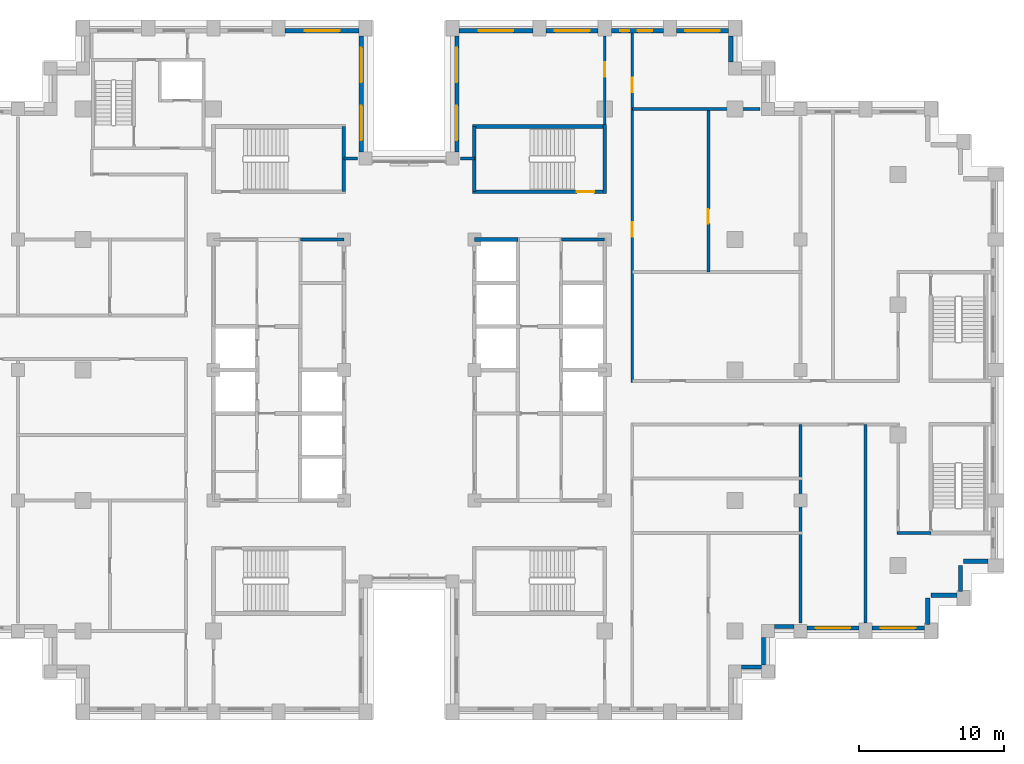
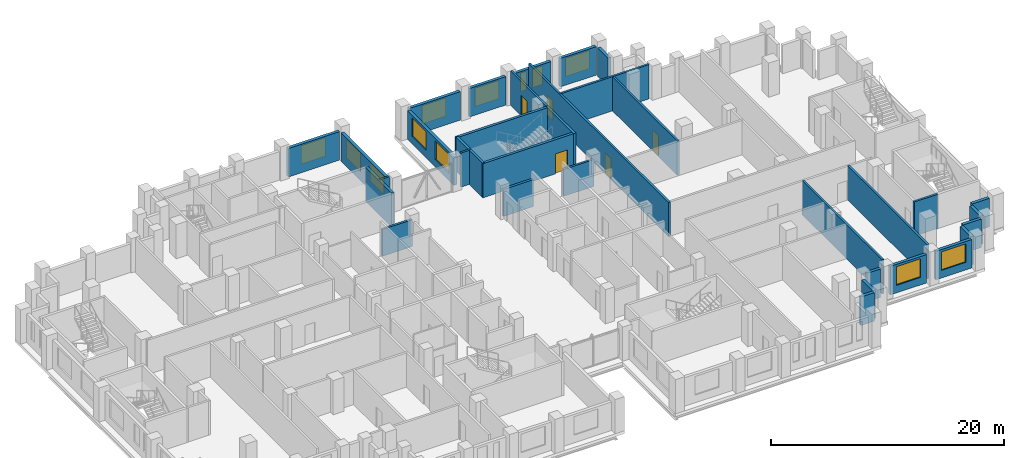
# One storey, part 11 of 16: 34 walls, 12 windows, 5 doors, 17 openings.
"""IFC4 building model written with IfcOpenShell, lengths in metres."""

from ifc_helpers import new_model, si_unit, direction, frame, frame_2d, origin, place, context, subcontext, project, spatial, rectangle, extrude, material, layer, layer_set, type_object, element, fill, save


model = new_model("IFC4")

# Units and contexts
model_context = context("Model", 3, precision=1e-05, world=origin(), true_north=direction((0.0, 1.0)))
body_context = subcontext(model_context, "Body", "Model", "MODEL_VIEW")
ifc_project = project(units=[si_unit("LENGTHUNIT", "METRE"), si_unit("AREAUNIT", "SQUARE_METRE"), si_unit("VOLUMEUNIT", "CUBIC_METRE"), si_unit("PLANEANGLEUNIT", "RADIAN"), si_unit("MASSUNIT", "GRAM", prefix="KILO")], contexts=[model_context])

# Site, building, storey
site_placement = place(None, origin())
site = spatial("IfcSite", under=ifc_project, at=site_placement, CompositionType="ELEMENT")
building_placement = place(site_placement, origin())
building = spatial("IfcBuilding", under=site, at=building_placement, Name="Corbelhall Arena Tower", CompositionType="ELEMENT")
storey_placement = place(building_placement, frame((0.0, 0.0, 174.0)))
storey = spatial("IfcBuildingStorey", under=building, at=storey_placement, Name="L35", CompositionType="ELEMENT", Elevation=174.0)

# Walls
ifc_material_1 = material(Name="Precast concrete C40/50 with granite facing", Category="masonry")
ifc_layer_1 = layer(ifc_material_1, 0.300048828125)
ifc_layer_set_1 = layer_set([ifc_layer_1], Name="EV-IW1 Infill panel 300")
wall_type_1 = type_object("IfcWallType", Name="EV-IW1 Infill panel 300", PredefinedType="SOLIDWALL", material=ifc_layer_set_1)
for number, where, z_axis, x_axis, name in (
    (1, (35.800048828125, -17.550048828125, 0.0), (0.0, 0.0, 1.0), (0.0, 1.0, 0.0), "Infill panel IW1"),
    (2, (37.800048828125, -15.550048828125, 0.0), (0.0, 0.0, 1.0), (-1.0, 0.0, 0.0), "Infill panel IW1"),
    (3, (38.050048828125, -15.300048828125, 0.0), (0.0, 0.0, 1.0), (0.0, 1.0, 0.0), "Infill panel IW1"),
):
    element("IfcWall", number, at=place(storey_placement, frame(where, z_axis=z_axis, x_axis=x_axis)), inside=storey, type_object=wall_type_1, Name=name, PredefinedType="SOLIDWALL", context=body_context, shape_type="SweptSolid", body=[
        extrude(rectangle(XDim=1.800048828125, YDim=0.300048828125, at=frame_2d((0.89990234375, 0.0))), origin(), (0.0, 0.0, 1.0), 2.989990234375),
    ])
wall_1_placement = place(storey_placement, frame((39.949951171875, -13.199951171875, 0.0), z_axis=(0.0, 0.0, 1.0), x_axis=(-1.0, 0.0, 0.0)))
element("IfcWall", 4, at=wall_1_placement, inside=storey, type_object=wall_type_1, Name="Infill panel IW1", PredefinedType="SOLIDWALL", context=body_context, shape_type="SweptSolid", body=[
    extrude(rectangle(XDim=1.699951171875, YDim=0.300048828125, at=frame_2d((0.85009765625, 0.0))), origin(), (0.0, 0.0, 1.0), 2.989990234375),
])
wall_2_placement = place(storey_placement, frame((22.949951171875, -20.5, 0.0), z_axis=(0.0, 0.0, 1.0), x_axis=(1.0, 0.0, 0.0)))
element("IfcWall", 5, at=wall_2_placement, inside=storey, type_object=wall_type_1, Name="Infill panel IW1", PredefinedType="SOLIDWALL", context=body_context, shape_type="SweptSolid", body=[
    extrude(rectangle(XDim=1.35009765625, YDim=0.300048828125, at=frame_2d((0.675048828125, 0.0))), origin(), (0.0, 0.0, 1.0), 2.989990234375),
])
wall_3_placement = place(storey_placement, frame((24.449951171875, -20.35009765625, 0.0), z_axis=(0.0, 0.0, 1.0), x_axis=(0.0, 1.0, 0.0)))
element("IfcWall", 6, at=wall_3_placement, inside=storey, type_object=wall_type_1, Name="Infill panel IW1", PredefinedType="SOLIDWALL", context=body_context, shape_type="SweptSolid", body=[
    extrude(rectangle(XDim=1.900146484375, YDim=0.300048828125, at=frame_2d((0.9501953125, 0.0))), origin(), (0.0, 0.0, 1.0), 2.989990234375),
])
wall_4_placement = place(storey_placement, frame((25.199951171875, -17.699951171875, 0.0), z_axis=(0.0, 0.0, 1.0), x_axis=(1.0, 0.0, 0.0)))
element("IfcWall", 7, at=wall_4_placement, inside=storey, type_object=wall_type_1, Name="Infill panel IW1", PredefinedType="SOLIDWALL", context=body_context, shape_type="SweptSolid", body=[
    extrude(rectangle(XDim=1.35009765625, YDim=0.300048828125, at=frame_2d((0.675048828125, 0.0))), origin(), (0.0, 0.0, 1.0), 2.989990234375),
])

# Wall, opening, window
wall_5_placement = place(storey_placement, frame((27.449951171875, -17.800048828125, 0.0), z_axis=(0.0, 0.0, 1.0), x_axis=(1.0, 0.0, 0.0)))
wall_5 = element("IfcWall", 8, at=wall_5_placement, inside=storey, type_object=wall_type_1, Name="Infill panel IW1", PredefinedType="SOLIDWALL", context=body_context, shape_type="SweptSolid", body=[
    extrude(rectangle(XDim=3.60009765625, YDim=0.300048828125, at=frame_2d((1.800048828125, 0.0))), origin(), (0.0, 0.0, 1.0), 2.989990234375),
])
opening_1_placement = place(wall_5_placement, frame((0.60009765625, 0.0, 0.800048828125)))
opening_1 = element("IfcOpeningElement", 9, at=opening_1_placement, cuts=wall_5, Name="Opening WN1", PredefinedType="OPENING", context=body_context, shape_type="SweptSolid", body=[
    extrude(rectangle(XDim=2.39990234375, YDim=1.949951171875, at=frame_2d((1.199951171875, 0.97509765625))), frame((0.0, 0.14990234375, 0.0), z_axis=(0.0, -1.0, 0.0), x_axis=(1.0, 0.0, 0.0)), (0.0, 0.0, 1.0), 0.300048828125),
])
ifc_material_2 = material(Name="Aluminium black anodised", Category="aluminium")
window_type_1 = type_object("IfcWindowType", Name="EV-WN1 Office window", PartitioningType="SINGLE_PANEL", PredefinedType="WINDOW", material=ifc_material_2)
window_1_placement = place(opening_1_placement, origin())
window_1 = element("IfcWindow", 10, at=window_1_placement, inside=storey, type_object=window_type_1, Name="Window WN1", OverallHeight=1.949951171875, OverallWidth=2.39990234375, PartitioningType="SINGLE_PANEL", PredefinedType="WINDOW", context=body_context, shape_type="SweptSolid", body=[
    extrude(rectangle(XDim=2.39990234375, YDim=1.949951171875, at=frame_2d((1.199951171875, 0.97509765625))), frame((0.0, 0.030029296875, 0.0), z_axis=(0.0, -1.0, 0.0), x_axis=(1.0, 0.0, 0.0)), (0.0, 0.0, 1.0), 0.06005859375),
])
fill(opening_1, window_1)

wall_6_placement = place(storey_placement, frame((31.949951171875, -17.800048828125, 0.0), z_axis=(0.0, 0.0, 1.0), x_axis=(1.0, 0.0, 0.0)))
wall_6 = element("IfcWall", 11, at=wall_6_placement, inside=storey, type_object=wall_type_1, Name="Infill panel IW1", PredefinedType="SOLIDWALL", context=body_context, shape_type="SweptSolid", body=[
    extrude(rectangle(XDim=3.60009765625, YDim=0.300048828125, at=frame_2d((1.800048828125, 0.0))), origin(), (0.0, 0.0, 1.0), 2.989990234375),
])
opening_2_placement = place(wall_6_placement, frame((0.60009765625, 0.0, 0.800048828125)))
opening_2 = element("IfcOpeningElement", 12, at=opening_2_placement, cuts=wall_6, Name="Opening WN1", PredefinedType="OPENING", context=body_context, shape_type="SweptSolid", body=[
    extrude(rectangle(XDim=2.39990234375, YDim=1.949951171875, at=frame_2d((1.199951171875, 0.97509765625))), frame((0.0, 0.14990234375, 0.0), z_axis=(0.0, -1.0, 0.0), x_axis=(1.0, 0.0, 0.0)), (0.0, 0.0, 1.0), 0.300048828125),
])
window_2_placement = place(opening_2_placement, origin())
window_2 = element("IfcWindow", 13, at=window_2_placement, inside=storey, type_object=window_type_1, Name="Window WN1", OverallHeight=1.949951171875, OverallWidth=2.39990234375, PartitioningType="SINGLE_PANEL", PredefinedType="WINDOW", context=body_context, shape_type="SweptSolid", body=[
    extrude(rectangle(XDim=2.39990234375, YDim=1.949951171875, at=frame_2d((1.199951171875, 0.97509765625))), frame((0.0, 0.030029296875, 0.0), z_axis=(0.0, -1.0, 0.0), x_axis=(1.0, 0.0, 0.0)), (0.0, 0.0, 1.0), 0.06005859375),
])
fill(opening_2, window_2)

# Wall
wall_7_placement = place(storey_placement, frame((22.199951171875, 21.25, 0.0), z_axis=(0.0, 0.0, 1.0), x_axis=(0.0, 1.0, 0.0)))
element("IfcWall", 14, at=wall_7_placement, inside=storey, type_object=wall_type_1, Name="Infill panel IW1", PredefinedType="SOLIDWALL", context=body_context, shape_type="SweptSolid", body=[
    extrude(rectangle(XDim=1.800048828125, YDim=0.300048828125, at=frame_2d((0.89990234375, 0.0))), origin(), (0.0, 0.0, 1.0), 2.989990234375),
])

# Wall, opening, window
wall_8_placement = place(storey_placement, frame((22.050048828125, 23.39990234375, 0.0), z_axis=(0.0, 0.0, 1.0), x_axis=(-1.0, 0.0, 0.0)))
wall_8 = element("IfcWall", 15, at=wall_8_placement, inside=storey, type_object=wall_type_1, Name="Infill panel IW1", PredefinedType="SOLIDWALL", context=body_context, shape_type="SweptSolid", body=[
    extrude(rectangle(XDim=3.60009765625, YDim=0.300048828125, at=frame_2d((1.800048828125, 0.0))), origin(), (0.0, 0.0, 1.0), 2.989990234375),
])
opening_3_placement = place(wall_8_placement, frame((0.60009765625, 0.0, 0.800048828125)))
opening_3 = element("IfcOpeningElement", 16, at=opening_3_placement, cuts=wall_8, Name="Opening WN1", PredefinedType="OPENING", context=body_context, shape_type="SweptSolid", body=[
    extrude(rectangle(XDim=2.39990234375, YDim=1.949951171875, at=frame_2d((1.199951171875, 0.97509765625))), frame((0.0, 0.14990234375, 0.0), z_axis=(0.0, -1.0, 0.0), x_axis=(1.0, 0.0, 0.0)), (0.0, 0.0, 1.0), 0.300048828125),
])
window_3_placement = place(opening_3_placement, origin())
window_3 = element("IfcWindow", 17, at=window_3_placement, inside=storey, type_object=window_type_1, Name="Window WN1", OverallHeight=1.949951171875, OverallWidth=2.39990234375, PartitioningType="SINGLE_PANEL", PredefinedType="WINDOW", context=body_context, shape_type="SweptSolid", body=[
    extrude(rectangle(XDim=2.39990234375, YDim=1.949951171875, at=frame_2d((1.199951171875, 0.97509765625))), frame((0.0, 0.030029296875, 0.0), z_axis=(0.0, -1.0, 0.0), x_axis=(1.0, 0.0, 0.0)), (0.0, 0.0, 1.0), 0.06005859375),
])
fill(opening_3, window_3)

# Wall, openings, windows
wall_9_placement = place(storey_placement, frame((17.550048828125, 23.39990234375, 0.0), z_axis=(0.0, 0.0, 1.0), x_axis=(-1.0, 0.0, 0.0)))
wall_9 = element("IfcWall", 18, at=wall_9_placement, inside=storey, type_object=wall_type_1, Name="Infill panel IW1", PredefinedType="SOLIDWALL", context=body_context, shape_type="SweptSolid", body=[
    extrude(rectangle(XDim=3.60009765625, YDim=0.300048828125, at=frame_2d((1.800048828125, 0.0))), origin(), (0.0, 0.0, 1.0), 2.989990234375),
])
opening_4_placement = place(wall_9_placement, frame((0.77490234375, 0.0, 0.800048828125)))
opening_4 = element("IfcOpeningElement", 19, at=opening_4_placement, cuts=wall_9, Name="Opening WN6", PredefinedType="OPENING", context=body_context, shape_type="SweptSolid", body=[
    extrude(rectangle(XDim=1.0, YDim=1.949951171875, at=frame_2d((0.5, 0.97509765625))), frame((0.0, 0.14990234375, 0.0), z_axis=(0.0, -1.0, 0.0), x_axis=(1.0, 0.0, 0.0)), (0.0, 0.0, 1.0), 0.300048828125),
])
opening_5_placement = place(wall_9_placement, frame((2.375, 0.0, 0.800048828125)))
opening_5 = element("IfcOpeningElement", 20, at=opening_5_placement, cuts=wall_9, Name="Opening WN5", PredefinedType="OPENING", context=body_context, shape_type="SweptSolid", body=[
    extrude(rectangle(XDim=0.60009765625, YDim=1.949951171875, at=frame_2d((0.300048828125, 0.97509765625))), frame((0.0, 0.14990234375, 0.0), z_axis=(0.0, -1.0, 0.0), x_axis=(1.0, 0.0, 0.0)), (0.0, 0.0, 1.0), 0.300048828125),
])
window_type_2 = type_object("IfcWindowType", Name="EV-WN5 Office window 600", PartitioningType="SINGLE_PANEL", PredefinedType="WINDOW", material=ifc_material_2)
window_4_placement = place(opening_5_placement, origin())
window_4 = element("IfcWindow", 21, at=window_4_placement, inside=storey, type_object=window_type_2, Name="Window WN5", OverallHeight=1.949951171875, OverallWidth=0.60009765625, PartitioningType="SINGLE_PANEL", PredefinedType="WINDOW", context=body_context, shape_type="SweptSolid", body=[
    extrude(rectangle(XDim=0.60009765625, YDim=1.949951171875, at=frame_2d((0.300048828125, 0.97509765625))), frame((0.0, 0.030029296875, 0.0), z_axis=(0.0, -1.0, 0.0), x_axis=(1.0, 0.0, 0.0)), (0.0, 0.0, 1.0), 0.06005859375),
])
fill(opening_5, window_4)
window_type_3 = type_object("IfcWindowType", Name="EV-WN6 Office window 1000", PartitioningType="SINGLE_PANEL", PredefinedType="WINDOW", material=ifc_material_2)
window_5_placement = place(opening_4_placement, origin())
window_5 = element("IfcWindow", 22, at=window_5_placement, inside=storey, type_object=window_type_3, Name="Window WN6", OverallHeight=1.949951171875, OverallWidth=1.0, PartitioningType="SINGLE_PANEL", PredefinedType="WINDOW", context=body_context, shape_type="SweptSolid", body=[
    extrude(rectangle(XDim=1.0, YDim=1.949951171875, at=frame_2d((0.5, 0.97509765625))), frame((0.0, 0.030029296875, 0.0), z_axis=(0.0, -1.0, 0.0), x_axis=(1.0, 0.0, 0.0)), (0.0, 0.0, 1.0), 0.06005859375),
])
fill(opening_4, window_5)

# Wall, opening, window
wall_10_placement = place(storey_placement, frame((13.050048828125, 23.39990234375, 0.0), z_axis=(0.0, 0.0, 1.0), x_axis=(-1.0, 0.0, 0.0)))
wall_10 = element("IfcWall", 23, at=wall_10_placement, inside=storey, type_object=wall_type_1, Name="Infill panel IW1", PredefinedType="SOLIDWALL", context=body_context, shape_type="SweptSolid", body=[
    extrude(rectangle(XDim=3.60009765625, YDim=0.300048828125, at=frame_2d((1.800048828125, 0.0))), origin(), (0.0, 0.0, 1.0), 2.989990234375),
])
opening_6_placement = place(wall_10_placement, frame((0.60009765625, 0.0, 0.800048828125)))
opening_6 = element("IfcOpeningElement", 24, at=opening_6_placement, cuts=wall_10, Name="Opening WN1", PredefinedType="OPENING", context=body_context, shape_type="SweptSolid", body=[
    extrude(rectangle(XDim=2.39990234375, YDim=1.949951171875, at=frame_2d((1.199951171875, 0.97509765625))), frame((0.0, 0.14990234375, 0.0), z_axis=(0.0, -1.0, 0.0), x_axis=(1.0, 0.0, 0.0)), (0.0, 0.0, 1.0), 0.300048828125),
])
window_6_placement = place(opening_6_placement, origin())
window_6 = element("IfcWindow", 25, at=window_6_placement, inside=storey, type_object=window_type_1, Name="Window WN1", OverallHeight=1.949951171875, OverallWidth=2.39990234375, PartitioningType="SINGLE_PANEL", PredefinedType="WINDOW", context=body_context, shape_type="SweptSolid", body=[
    extrude(rectangle(XDim=2.39990234375, YDim=1.949951171875, at=frame_2d((1.199951171875, 0.97509765625))), frame((0.0, 0.030029296875, 0.0), z_axis=(0.0, -1.0, 0.0), x_axis=(1.0, 0.0, 0.0)), (0.0, 0.0, 1.0), 0.06005859375),
])
fill(opening_6, window_6)

wall_11_placement = place(storey_placement, frame((8.550048828125, 23.39990234375, 0.0), z_axis=(0.0, 0.0, 1.0), x_axis=(-1.0, 0.0, 0.0)))
wall_11 = element("IfcWall", 26, at=wall_11_placement, inside=storey, type_object=wall_type_1, Name="Infill panel IW1", PredefinedType="SOLIDWALL", context=body_context, shape_type="SweptSolid", body=[
    extrude(rectangle(XDim=5.10009765625, YDim=0.300048828125, at=frame_2d((2.550048828125, 0.0))), origin(), (0.0, 0.0, 1.0), 2.989990234375),
])
opening_7_placement = place(wall_11_placement, frame((1.35009765625, 0.0, 0.800048828125)))
opening_7 = element("IfcOpeningElement", 27, at=opening_7_placement, cuts=wall_11, Name="Opening WN1", PredefinedType="OPENING", context=body_context, shape_type="SweptSolid", body=[
    extrude(rectangle(XDim=2.39990234375, YDim=1.949951171875, at=frame_2d((1.199951171875, 0.97509765625))), frame((0.0, 0.14990234375, 0.0), z_axis=(0.0, -1.0, 0.0), x_axis=(1.0, 0.0, 0.0)), (0.0, 0.0, 1.0), 0.300048828125),
])
window_7_placement = place(opening_7_placement, origin())
window_7 = element("IfcWindow", 28, at=window_7_placement, inside=storey, type_object=window_type_1, Name="Window WN1", OverallHeight=1.949951171875, OverallWidth=2.39990234375, PartitioningType="SINGLE_PANEL", PredefinedType="WINDOW", context=body_context, shape_type="SweptSolid", body=[
    extrude(rectangle(XDim=2.39990234375, YDim=1.949951171875, at=frame_2d((1.199951171875, 0.97509765625))), frame((0.0, 0.030029296875, 0.0), z_axis=(0.0, -1.0, 0.0), x_axis=(1.0, 0.0, 0.0)), (0.0, 0.0, 1.0), 0.06005859375),
])
fill(opening_7, window_7)

# Wall, openings, windows
wall_12_placement = place(storey_placement, frame((3.300048828125, 23.050048828125, 0.0), z_axis=(0.0, 0.0, 1.0), x_axis=(0.0, -1.0, 0.0)))
wall_12 = element("IfcWall", 29, at=wall_12_placement, inside=storey, type_object=wall_type_1, Name="Infill panel IW1", PredefinedType="SOLIDWALL", context=body_context, shape_type="SweptSolid", body=[
    extrude(rectangle(XDim=8.0, YDim=0.300048828125, at=frame_2d((4.0, 0.0))), origin(), (0.0, 0.0, 1.0), 2.989990234375),
])
opening_8_placement = place(wall_12_placement, frame((0.800048828125, 0.0, 0.800048828125)))
opening_8 = element("IfcOpeningElement", 30, at=opening_8_placement, cuts=wall_12, Name="Opening WN1", PredefinedType="OPENING", context=body_context, shape_type="SweptSolid", body=[
    extrude(rectangle(XDim=2.39990234375, YDim=1.949951171875, at=frame_2d((1.199951171875, 0.97509765625))), frame((0.0, 0.14990234375, 0.0), z_axis=(0.0, -1.0, 0.0), x_axis=(1.0, 0.0, 0.0)), (0.0, 0.0, 1.0), 0.300048828125),
])
opening_9_placement = place(wall_12_placement, frame((4.800048828125, 0.0, 0.800048828125)))
opening_9 = element("IfcOpeningElement", 31, at=opening_9_placement, cuts=wall_12, Name="Opening WN1", PredefinedType="OPENING", context=body_context, shape_type="SweptSolid", body=[
    extrude(rectangle(XDim=2.39990234375, YDim=1.949951171875, at=frame_2d((1.199951171875, 0.97509765625))), frame((0.0, 0.14990234375, 0.0), z_axis=(0.0, -1.0, 0.0), x_axis=(1.0, 0.0, 0.0)), (0.0, 0.0, 1.0), 0.300048828125),
])
window_8_placement = place(opening_8_placement, origin())
window_8 = element("IfcWindow", 32, at=window_8_placement, inside=storey, type_object=window_type_1, Name="Window WN1", OverallHeight=1.949951171875, OverallWidth=2.39990234375, PartitioningType="SINGLE_PANEL", PredefinedType="WINDOW", context=body_context, shape_type="SweptSolid", body=[
    extrude(rectangle(XDim=2.39990234375, YDim=1.949951171875, at=frame_2d((1.199951171875, 0.97509765625))), frame((0.0, 0.030029296875, 0.0), z_axis=(0.0, -1.0, 0.0), x_axis=(1.0, 0.0, 0.0)), (0.0, 0.0, 1.0), 0.06005859375),
])
fill(opening_8, window_8)
window_9_placement = place(opening_9_placement, origin())
window_9 = element("IfcWindow", 33, at=window_9_placement, inside=storey, type_object=window_type_1, Name="Window WN1", OverallHeight=1.949951171875, OverallWidth=2.39990234375, PartitioningType="SINGLE_PANEL", PredefinedType="WINDOW", context=body_context, shape_type="SweptSolid", body=[
    extrude(rectangle(XDim=2.39990234375, YDim=1.949951171875, at=frame_2d((1.199951171875, 0.97509765625))), frame((0.0, 0.030029296875, 0.0), z_axis=(0.0, -1.0, 0.0), x_axis=(1.0, 0.0, 0.0)), (0.0, 0.0, 1.0), 0.06005859375),
])
fill(opening_9, window_9)

wall_13_placement = place(storey_placement, frame((-3.300048828125, 15.050048828125, 0.0), z_axis=(0.0, 0.0, 1.0), x_axis=(0.0, 1.0, 0.0)))
wall_13 = element("IfcWall", 34, at=wall_13_placement, inside=storey, type_object=wall_type_1, Name="Infill panel IW1", PredefinedType="SOLIDWALL", context=body_context, shape_type="SweptSolid", body=[
    extrude(rectangle(XDim=8.0, YDim=0.300048828125, at=frame_2d((4.0, 0.0))), origin(), (0.0, 0.0, 1.0), 2.989990234375),
])
opening_10_placement = place(wall_13_placement, frame((0.800048828125, 0.0, 0.800048828125)))
opening_10 = element("IfcOpeningElement", 35, at=opening_10_placement, cuts=wall_13, Name="Opening WN1", PredefinedType="OPENING", context=body_context, shape_type="SweptSolid", body=[
    extrude(rectangle(XDim=2.39990234375, YDim=1.949951171875, at=frame_2d((1.199951171875, 0.97509765625))), frame((0.0, 0.14990234375, 0.0), z_axis=(0.0, -1.0, 0.0), x_axis=(1.0, 0.0, 0.0)), (0.0, 0.0, 1.0), 0.300048828125),
])
opening_11_placement = place(wall_13_placement, frame((4.800048828125, 0.0, 0.800048828125)))
opening_11 = element("IfcOpeningElement", 36, at=opening_11_placement, cuts=wall_13, Name="Opening WN1", PredefinedType="OPENING", context=body_context, shape_type="SweptSolid", body=[
    extrude(rectangle(XDim=2.39990234375, YDim=1.949951171875, at=frame_2d((1.199951171875, 0.97509765625))), frame((0.0, 0.14990234375, 0.0), z_axis=(0.0, -1.0, 0.0), x_axis=(1.0, 0.0, 0.0)), (0.0, 0.0, 1.0), 0.300048828125),
])
window_10_placement = place(opening_10_placement, origin())
window_10 = element("IfcWindow", 37, at=window_10_placement, inside=storey, type_object=window_type_1, Name="Window WN1", OverallHeight=1.949951171875, OverallWidth=2.39990234375, PartitioningType="SINGLE_PANEL", PredefinedType="WINDOW", context=body_context, shape_type="SweptSolid", body=[
    extrude(rectangle(XDim=2.39990234375, YDim=1.949951171875, at=frame_2d((1.199951171875, 0.97509765625))), frame((0.0, 0.030029296875, 0.0), z_axis=(0.0, -1.0, 0.0), x_axis=(1.0, 0.0, 0.0)), (0.0, 0.0, 1.0), 0.06005859375),
])
fill(opening_10, window_10)
window_11_placement = place(opening_11_placement, origin())
window_11 = element("IfcWindow", 38, at=window_11_placement, inside=storey, type_object=window_type_1, Name="Window WN1", OverallHeight=1.949951171875, OverallWidth=2.39990234375, PartitioningType="SINGLE_PANEL", PredefinedType="WINDOW", context=body_context, shape_type="SweptSolid", body=[
    extrude(rectangle(XDim=2.39990234375, YDim=1.949951171875, at=frame_2d((1.199951171875, 0.97509765625))), frame((0.0, 0.030029296875, 0.0), z_axis=(0.0, -1.0, 0.0), x_axis=(1.0, 0.0, 0.0)), (0.0, 0.0, 1.0), 0.06005859375),
])
fill(opening_11, window_11)

# Wall, opening, window
wall_14_placement = place(storey_placement, frame((-3.449951171875, 23.39990234375, 0.0), z_axis=(0.0, 0.0, 1.0), x_axis=(-1.0, 0.0, 0.0)))
wall_14 = element("IfcWall", 39, at=wall_14_placement, inside=storey, type_object=wall_type_1, Name="Infill panel IW1", PredefinedType="SOLIDWALL", context=body_context, shape_type="SweptSolid", body=[
    extrude(rectangle(XDim=5.10009765625, YDim=0.300048828125, at=frame_2d((2.550048828125, 0.0))), origin(), (0.0, 0.0, 1.0), 2.989990234375),
])
opening_12_placement = place(wall_14_placement, frame((1.35009765625, 0.0, 0.800048828125)))
opening_12 = element("IfcOpeningElement", 40, at=opening_12_placement, cuts=wall_14, Name="Opening WN1", PredefinedType="OPENING", context=body_context, shape_type="SweptSolid", body=[
    extrude(rectangle(XDim=2.39990234375, YDim=1.949951171875, at=frame_2d((1.199951171875, 0.97509765625))), frame((0.0, 0.14990234375, 0.0), z_axis=(0.0, -1.0, 0.0), x_axis=(1.0, 0.0, 0.0)), (0.0, 0.0, 1.0), 0.300048828125),
])
window_12_placement = place(opening_12_placement, origin())
window_12 = element("IfcWindow", 41, at=window_12_placement, inside=storey, type_object=window_type_1, Name="Window WN1", OverallHeight=1.949951171875, OverallWidth=2.39990234375, PartitioningType="SINGLE_PANEL", PredefinedType="WINDOW", context=body_context, shape_type="SweptSolid", body=[
    extrude(rectangle(XDim=2.39990234375, YDim=1.949951171875, at=frame_2d((1.199951171875, 0.97509765625))), frame((0.0, 0.030029296875, 0.0), z_axis=(0.0, -1.0, 0.0), x_axis=(1.0, 0.0, 0.0)), (0.0, 0.0, 1.0), 0.06005859375),
])
fill(opening_12, window_12)

# Walls
ifc_material_3 = material(Name="Gypsum board on steel stud, acoustic", Category="steel")
ifc_layer_2 = layer(ifc_material_3, 0.199951171875)
ifc_layer_set_2 = layer_set([ifc_layer_2], Name="IN-W-DM200")
wall_type_2 = type_object("IfcWallType", Name="IN-W-DM200", PredefinedType="PARTITIONING", material=ifc_layer_set_2)
for number, where, z_axis, x_axis, name in (
    (42, (-4.5, 14.60009765625, 0.0), (0.0, 0.0, 1.0), (1.0, 0.0, 0.0), "Partition 024"),
    (43, (3.550048828125, 14.60009765625, 0.0), (0.0, 0.0, 1.0), (1.0, 0.0, 0.0), "Partition 026"),
):
    element("IfcWall", number, at=place(storey_placement, frame(where, z_axis=z_axis, x_axis=x_axis)), inside=storey, type_object=wall_type_2, Name=name, PredefinedType="PARTITIONING", context=body_context, shape_type="SweptSolid", body=[
        extrude(rectangle(XDim=0.949951171875, YDim=0.199951171875, at=frame_2d((0.47509765625, 0.0))), origin(), (0.0, 0.0, 1.0), 3.590087890625),
    ])

# Wall, opening, door
wall_15_placement = place(storey_placement, frame((13.5, 16.675048828125, 0.0), z_axis=(0.0, 0.0, 1.0), x_axis=(0.0, 1.0, 0.0)))
wall_15 = element("IfcWall", 44, at=wall_15_placement, inside=storey, type_object=wall_type_2, Name="Partition 029", PredefinedType="PARTITIONING", context=body_context, shape_type="SweptSolid", body=[
    extrude(rectangle(XDim=6.375, YDim=0.199951171875, at=frame_2d((3.1875, 0.0))), origin(), (0.0, 0.0, 1.0), 3.590087890625),
])
opening_13_placement = place(wall_15_placement, frame((3.550048828125, 0.0, 0.0)))
opening_13 = element("IfcOpeningElement", 45, at=opening_13_placement, cuts=wall_15, Name="Opening 10023", PredefinedType="OPENING", context=body_context, shape_type="SweptSolid", body=[
    extrude(rectangle(XDim=1.0, YDim=2.10009765625, at=frame_2d((0.5, 1.050048828125))), frame((0.0, 0.10009765625, 0.0), z_axis=(0.0, -1.0, 0.0), x_axis=(1.0, 0.0, 0.0)), (0.0, 0.0, 1.0), 0.199951171875),
])
ifc_material_4 = material(Name="Steel door set", Category="steel")
door_type_1 = type_object("IfcDoorType", Name="IN-D-SW100", OperationType="NOTDEFINED", PredefinedType="DOOR", material=ifc_material_4)
door_1_placement = place(opening_13_placement, origin())
door_1 = element("IfcDoor", 46, at=door_1_placement, inside=storey, type_object=door_type_1, Name="Door 023", OperationType="SINGLE_SWING_RIGHT", OverallHeight=2.10009765625, OverallWidth=1.0, PredefinedType="DOOR", context=body_context, shape_type="SweptSolid", body=[
    extrude(rectangle(XDim=1.0, YDim=2.10009765625, at=frame_2d((0.5, 1.050048828125))), frame((0.0, 0.02490234375, 0.0), z_axis=(0.0, -1.0, 0.0), x_axis=(1.0, 0.0, 0.0)), (0.0, 0.0, 1.0), 0.050048828125),
])
fill(opening_13, door_1)

# Wall, openings, doors
wall_16_placement = place(storey_placement, frame((15.39990234375, 23.25, 0.0), z_axis=(0.0, 0.0, 1.0), x_axis=(0.0, -1.0, 0.0)))
wall_16 = element("IfcWall", 47, at=wall_16_placement, inside=storey, type_object=wall_type_2, Name="Partition 035", PredefinedType="PARTITIONING", context=body_context, shape_type="SweptSolid", body=[
    extrude(rectangle(XDim=24.10009765625, YDim=0.199951171875, at=frame_2d((12.050048828125, 0.0))), origin(), (0.0, 0.0, 1.0), 3.590087890625),
])
opening_14_placement = place(wall_16_placement, frame((13.050048828125, 0.0, 0.0)))
opening_14 = element("IfcOpeningElement", 48, at=opening_14_placement, cuts=wall_16, Name="Opening 10035", PredefinedType="OPENING", context=body_context, shape_type="SweptSolid", body=[
    extrude(rectangle(XDim=1.0, YDim=2.10009765625, at=frame_2d((0.5, 1.050048828125))), frame((0.0, 0.10009765625, 0.0), z_axis=(0.0, -1.0, 0.0), x_axis=(1.0, 0.0, 0.0)), (0.0, 0.0, 1.0), 0.199951171875),
])
opening_15_placement = place(wall_16_placement, frame((3.10009765625, 0.0, 0.0)))
opening_15 = element("IfcOpeningElement", 49, at=opening_15_placement, cuts=wall_16, Name="Opening 10037", PredefinedType="OPENING", context=body_context, shape_type="SweptSolid", body=[
    extrude(rectangle(XDim=1.0, YDim=2.10009765625, at=frame_2d((0.5, 1.050048828125))), frame((0.0, 0.10009765625, 0.0), z_axis=(0.0, -1.0, 0.0), x_axis=(1.0, 0.0, 0.0)), (0.0, 0.0, 1.0), 0.199951171875),
])
door_2_placement = place(opening_14_placement, origin())
door_2 = element("IfcDoor", 50, at=door_2_placement, inside=storey, type_object=door_type_1, Name="Door 035", OperationType="SINGLE_SWING_RIGHT", OverallHeight=2.10009765625, OverallWidth=1.0, PredefinedType="DOOR", context=body_context, shape_type="SweptSolid", body=[
    extrude(rectangle(XDim=1.0, YDim=2.10009765625, at=frame_2d((0.5, 1.050048828125))), frame((0.0, 0.02490234375, 0.0), z_axis=(0.0, -1.0, 0.0), x_axis=(1.0, 0.0, 0.0)), (0.0, 0.0, 1.0), 0.050048828125),
])
fill(opening_14, door_2)
door_3_placement = place(opening_15_placement, origin())
door_3 = element("IfcDoor", 51, at=door_3_placement, inside=storey, type_object=door_type_1, Name="Door 037", OperationType="SINGLE_SWING_RIGHT", OverallHeight=2.10009765625, OverallWidth=1.0, PredefinedType="DOOR", context=body_context, shape_type="SweptSolid", body=[
    extrude(rectangle(XDim=1.0, YDim=2.10009765625, at=frame_2d((0.5, 1.050048828125))), frame((0.0, 0.02490234375, 0.0), z_axis=(0.0, -1.0, 0.0), x_axis=(1.0, 0.0, 0.0)), (0.0, 0.0, 1.0), 0.050048828125),
])
fill(opening_15, door_3)

# Wall
wall_17_placement = place(storey_placement, frame((15.39990234375, 18.0, 0.0), z_axis=(0.0, 0.0, 1.0), x_axis=(1.0, 0.0, 0.0)))
element("IfcWall", 52, at=wall_17_placement, inside=storey, type_object=wall_type_2, Name="Partition 036", PredefinedType="PARTITIONING", context=body_context, shape_type="SweptSolid", body=[
    extrude(rectangle(XDim=8.800048828125, YDim=0.199951171875, at=frame_2d((4.39990234375, 0.0))), origin(), (0.0, 0.0, 1.0), 3.590087890625),
])

# Wall, opening, door
wall_18_placement = place(storey_placement, frame((20.64990234375, 18.10009765625, 0.0), z_axis=(0.0, 0.0, 1.0), x_axis=(0.0, -1.0, 0.0)))
wall_18 = element("IfcWall", 53, at=wall_18_placement, inside=storey, type_object=wall_type_2, Name="Partition 038", PredefinedType="PARTITIONING", context=body_context, shape_type="SweptSolid", body=[
    extrude(rectangle(XDim=11.35009765625, YDim=0.199951171875, at=frame_2d((5.675048828125, 0.0))), origin(), (0.0, 0.0, 1.0), 3.590087890625),
])
opening_16_placement = place(wall_18_placement, frame((7.0, 0.0, 0.0)))
opening_16 = element("IfcOpeningElement", 54, at=opening_16_placement, cuts=wall_18, Name="Opening 10036", PredefinedType="OPENING", context=body_context, shape_type="SweptSolid", body=[
    extrude(rectangle(XDim=1.0, YDim=2.10009765625, at=frame_2d((0.5, 1.050048828125))), frame((0.0, 0.10009765625, 0.0), z_axis=(0.0, -1.0, 0.0), x_axis=(1.0, 0.0, 0.0)), (0.0, 0.0, 1.0), 0.199951171875),
])
door_4_placement = place(opening_16_placement, origin())
door_4 = element("IfcDoor", 55, at=door_4_placement, inside=storey, type_object=door_type_1, Name="Door 036", OperationType="SINGLE_SWING_LEFT", OverallHeight=2.10009765625, OverallWidth=1.0, PredefinedType="DOOR", context=body_context, shape_type="SweptSolid", body=[
    extrude(rectangle(XDim=1.0, YDim=2.10009765625, at=frame_2d((0.5, 1.050048828125))), frame((0.0, 0.02490234375, 0.0), z_axis=(0.0, -1.0, 0.0), x_axis=(1.0, 0.0, 0.0)), (0.0, 0.0, 1.0), 0.050048828125),
])
fill(opening_16, door_4)

# Walls
for number, where, z_axis, x_axis, name in (
    (56, (27.0, -3.75, 0.0), (0.0, 0.0, 1.0), (0.0, -1.0, 0.0), "Partition 039"),
    (57, (31.5, -3.75, 0.0), (0.0, 0.0, 1.0), (0.0, -1.0, 0.0), "Partition 043"),
):
    element("IfcWall", number, at=place(storey_placement, frame(where, z_axis=z_axis, x_axis=x_axis)), inside=storey, type_object=wall_type_2, Name=name, PredefinedType="PARTITIONING", context=body_context, shape_type="SweptSolid", body=[
        extrude(rectangle(XDim=13.699951171875, YDim=0.199951171875, at=frame_2d((6.85009765625, 0.0))), origin(), (0.0, 0.0, 1.0), 3.590087890625),
    ])
wall_19_placement = place(storey_placement, frame((36.0, -11.25, 0.0), z_axis=(0.0, 0.0, 1.0), x_axis=(-1.0, 0.0, 0.0)))
element("IfcWall", 58, at=wall_19_placement, inside=storey, type_object=wall_type_2, Name="Partition 047", PredefinedType="PARTITIONING", context=body_context, shape_type="SweptSolid", body=[
    extrude(rectangle(XDim=2.35009765625, YDim=0.199951171875, at=frame_2d((1.175048828125, 0.0))), origin(), (0.0, 0.0, 1.0), 3.590087890625),
])
ifc_material_5 = material(Name="Concrete block wall", Category="concrete")
ifc_layer_3 = layer(ifc_material_5, 0.199951171875)
ifc_layer_set_3 = layer_set([ifc_layer_3], Name="IN-W-RS200 under beam 762 mm")
wall_type_3 = type_object("IfcWallType", Name="IN-W-RS200 under beam 762 mm", PredefinedType="SOLIDWALL", material=ifc_layer_set_3)
for number, where, z_axis, x_axis, name in (
    (59, (-7.5, 9.0, 0.0), (0.0, 0.0, 1.0), (1.0, 0.0, 0.0), "Partition 052"),
    (60, (10.5, 9.0, 0.0), (0.0, 0.0, 1.0), (1.0, 0.0, 0.0), "Partition 058"),
):
    element("IfcWall", number, at=place(storey_placement, frame(where, z_axis=z_axis, x_axis=x_axis)), inside=storey, type_object=wall_type_3, Name=name, PredefinedType="SOLIDWALL", context=body_context, shape_type="SweptSolid", body=[
        extrude(rectangle(XDim=3.0, YDim=0.199951171875, at=frame_2d((1.5, 0.0))), origin(), (0.0, 0.0, 1.0), 2.827880859375),
    ])
ifc_material_6 = material(Name="Concrete C40/50", Category="concrete")
ifc_layer_4 = layer(ifc_material_6, 0.25)
ifc_layer_set_4 = layer_set([ifc_layer_4], Name="IN-W-SH250 under beam 762 mm")
wall_type_4 = type_object("IfcWallType", Name="IN-W-SH250 under beam 762 mm", PredefinedType="SOLIDWALL", material=ifc_layer_set_4)
wall_20_placement = place(storey_placement, frame((4.5, 9.0, 0.0), z_axis=(0.0, 0.0, 1.0), x_axis=(1.0, 0.0, 0.0)))
element("IfcWall", 61, at=wall_20_placement, inside=storey, type_object=wall_type_4, Name="Shaft wall 075", PredefinedType="SOLIDWALL", context=body_context, shape_type="SweptSolid", body=[
    extrude(rectangle(XDim=3.0, YDim=0.25, at=frame_2d((1.5, 0.0))), origin(), (0.0, 0.0, 1.0), 2.827880859375),
])
ifc_layer_5 = layer(ifc_material_6, 0.25)
ifc_layer_set_5 = layer_set([ifc_layer_5], Name="IN-W-ST250")
wall_type_5 = type_object("IfcWallType", Name="IN-W-ST250", PredefinedType="SOLIDWALL", material=ifc_layer_set_5)
wall_21_placement = place(storey_placement, frame((-4.5, 16.800048828125, 0.0), z_axis=(0.0, 0.0, 1.0), x_axis=(0.0, -1.0, 0.0)))
element("IfcWall", 62, at=wall_21_placement, inside=storey, type_object=wall_type_5, Name="Shaft wall 094", PredefinedType="SOLIDWALL", context=body_context, shape_type="SweptSolid", body=[
    extrude(rectangle(XDim=4.5, YDim=0.25, at=frame_2d((2.25, 0.0))), origin(), (0.0, 0.0, 1.0), 3.590087890625),
])

# Wall, opening, door
wall_22_placement = place(storey_placement, frame((4.375, 12.300048828125, 0.0), z_axis=(0.0, 0.0, 1.0), x_axis=(1.0, 0.0, 0.0)))
wall_22 = element("IfcWall", 63, at=wall_22_placement, inside=storey, type_object=wall_type_5, Name="Shaft wall 096", PredefinedType="SOLIDWALL", context=body_context, shape_type="SweptSolid", body=[
    extrude(rectangle(XDim=9.125, YDim=0.25, at=frame_2d((4.5625, 0.0))), origin(), (0.0, 0.0, 1.0), 3.590087890625),
])
opening_17_placement = place(wall_22_placement, frame((7.199951171875, 0.0, 0.0)))
opening_17 = element("IfcOpeningElement", 64, at=opening_17_placement, cuts=wall_22, Name="Opening 10016", PredefinedType="OPENING", context=body_context, shape_type="SweptSolid", body=[
    extrude(rectangle(XDim=1.199951171875, YDim=2.10009765625, at=frame_2d((0.60009765625, 1.050048828125))), frame((0.0, 0.125, 0.0), z_axis=(0.0, -1.0, 0.0), x_axis=(1.0, 0.0, 0.0)), (0.0, 0.0, 1.0), 0.25),
])
door_type_2 = type_object("IfcDoorType", Name="IN-D-ST120", OperationType="NOTDEFINED", PredefinedType="DOOR", material=ifc_material_4)
door_5_placement = place(opening_17_placement, origin())
door_5 = element("IfcDoor", 65, at=door_5_placement, inside=storey, type_object=door_type_2, Name="Door 016", OperationType="SINGLE_SWING_LEFT", OverallHeight=2.10009765625, OverallWidth=1.199951171875, PredefinedType="DOOR", context=body_context, shape_type="SweptSolid", body=[
    extrude(rectangle(XDim=1.199951171875, YDim=2.10009765625, at=frame_2d((0.60009765625, 1.050048828125))), frame((0.0, 0.02490234375, 0.0), z_axis=(0.0, -1.0, 0.0), x_axis=(1.0, 0.0, 0.0)), (0.0, 0.0, 1.0), 0.050048828125),
])
fill(opening_17, door_5)

# Walls
wall_23_placement = place(storey_placement, frame((4.375, 16.800048828125, 0.0), z_axis=(0.0, 0.0, 1.0), x_axis=(1.0, 0.0, 0.0)))
element("IfcWall", 66, at=wall_23_placement, inside=storey, type_object=wall_type_5, Name="Shaft wall 097", PredefinedType="SOLIDWALL", context=body_context, shape_type="SweptSolid", body=[
    extrude(rectangle(XDim=9.125, YDim=0.25, at=frame_2d((4.5625, 0.0))), origin(), (0.0, 0.0, 1.0), 3.590087890625),
])
wall_24_placement = place(storey_placement, frame((4.5, 12.300048828125, 0.0), z_axis=(0.0, 0.0, 1.0), x_axis=(0.0, 1.0, 0.0)))
element("IfcWall", 67, at=wall_24_placement, inside=storey, type_object=wall_type_5, Name="Shaft wall 099", PredefinedType="SOLIDWALL", context=body_context, shape_type="SweptSolid", body=[
    extrude(rectangle(XDim=4.5, YDim=0.25, at=frame_2d((2.25, 0.0))), origin(), (0.0, 0.0, 1.0), 3.590087890625),
])
wall_25_placement = place(storey_placement, frame((13.5, 12.175048828125, 0.0), z_axis=(0.0, 0.0, 1.0), x_axis=(0.0, 1.0, 0.0)))
element("IfcWall", 68, at=wall_25_placement, inside=storey, type_object=wall_type_5, Name="Shaft wall 103", PredefinedType="SOLIDWALL", context=body_context, shape_type="SweptSolid", body=[
    extrude(rectangle(XDim=4.75, YDim=0.25, at=frame_2d((2.375, 0.0))), origin(), (0.0, 0.0, 1.0), 3.590087890625),
])

save(model, "model.ifc")
